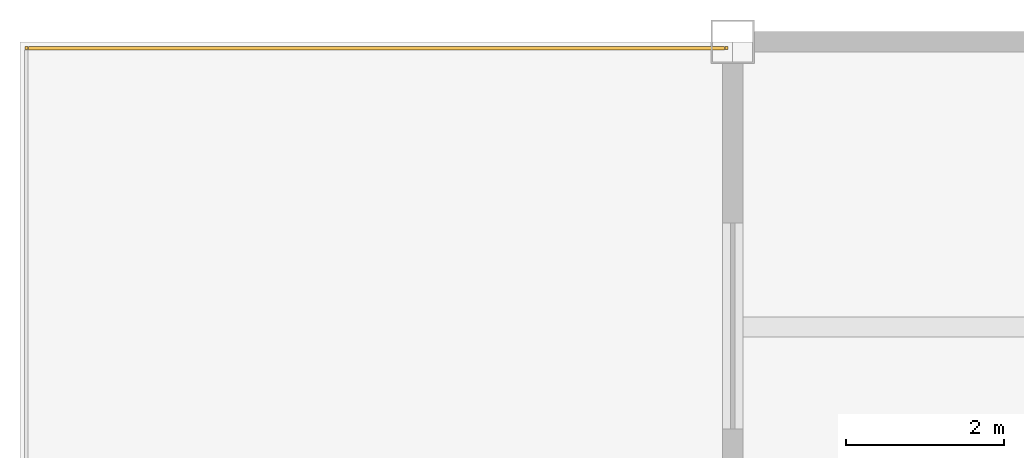
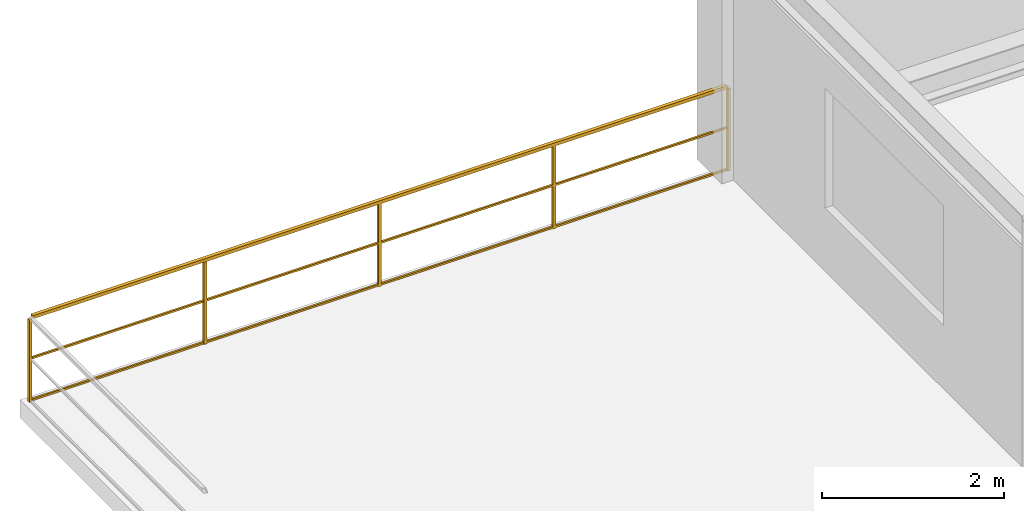
# One storey, part 11 of 11: 1 railing.
"""IFC4 building model written with IfcOpenShell, lengths in metres."""

from ifc_helpers import new_model, si_unit, direction, frame, origin, origin_2d, place, context, subcontext, project, spatial, rectangle, extrude, material, type_object, element, save


model = new_model("IFC4")

# Units and contexts
model_context = context("Model", 3, precision=1e-05, world=origin(), true_north=direction((0.0, 1.0)))
body_context = subcontext(model_context, "Body", "Model", "MODEL_VIEW")
ifc_project = project(units=[si_unit("LENGTHUNIT", "METRE"), si_unit("AREAUNIT", "SQUARE_METRE"), si_unit("VOLUMEUNIT", "CUBIC_METRE"), si_unit("PLANEANGLEUNIT", "RADIAN"), si_unit("MASSUNIT", "GRAM", prefix="KILO")], contexts=[model_context])

# Site, building, storey
site_placement = place(None, origin())
site = spatial("IfcSite", under=ifc_project, at=site_placement, CompositionType="ELEMENT")
building_placement = place(site_placement, origin())
building = spatial("IfcBuilding", under=site, at=building_placement, Name="Kazanami Central Library", CompositionType="ELEMENT")
storey_placement = place(building_placement, frame((0.0, 0.0, 24.199951171875)))
storey = spatial("IfcBuildingStorey", under=building, at=storey_placement, Name="L07", CompositionType="ELEMENT", Elevation=24.199951171875)

# Railing
ifc_material = material(Name="Stainless Steel SUS304", Category="steel")
railing_type = type_object("IfcRailingType", Name="RAL-GR-T1", PredefinedType="GUARDRAIL", material=ifc_material)
railing_placement = place(storey_placement, frame((117.080078125, 93.52001953125, 0.0)))
element("IfcRailing", 1, at=railing_placement, inside=storey, type_object=railing_type, Name="Terrace Perimeter Guard Archive Wing West Courtyard Terrace L07 (North)", PredefinedType="GUARDRAIL", context=body_context, shape_type="SweptSolid", body=[
    extrude(rectangle(XDim=0.0439453125, YDim=0.0439453125, at=origin_2d()), frame((0.02587890625, 0.0, 1.1279296875), z_axis=(1.0, 0.0, 0.0), x_axis=(0.0, 1.0, 0.0)), (0.0, 0.0, 1.0), 8.787841796875),
    extrude(rectangle(XDim=0.02392578125, YDim=0.02392578125, at=origin_2d()), frame((0.02587890625, 0.0, 0.015869140625), z_axis=(1.0, 0.0, 0.0), x_axis=(0.0, 1.0, 0.0)), (0.0, 0.0, 1.0), 8.787841796875),
    extrude(rectangle(XDim=0.02392578125, YDim=0.02392578125, at=origin_2d()), frame((0.02587890625, 0.0, 0.574951171875), z_axis=(1.0, 0.0, 0.0), x_axis=(0.0, 1.0, 0.0)), (0.0, 0.0, 1.0), 8.787841796875),
    extrude(rectangle(XDim=0.035888671875, YDim=0.035888671875, at=origin_2d()), origin(), (0.0, 0.0, 1.0), 1.10205078125),
    extrude(rectangle(XDim=0.035888671875, YDim=0.035888671875, at=origin_2d()), frame((2.2099609375, 0.0, 0.0)), (0.0, 0.0, 1.0), 1.10205078125),
    extrude(rectangle(XDim=0.035888671875, YDim=0.035888671875, at=origin_2d()), frame((4.419921875, 0.0, 0.0)), (0.0, 0.0, 1.0), 1.10205078125),
    extrude(rectangle(XDim=0.035888671875, YDim=0.035888671875, at=origin_2d()), frame((6.6298828125, 0.0, 0.0)), (0.0, 0.0, 1.0), 1.10205078125),
    extrude(rectangle(XDim=0.035888671875, YDim=0.035888671875, at=origin_2d()), frame((8.83984375, 0.0, 0.0)), (0.0, 0.0, 1.0), 1.10205078125),
])

save(model, "model.ifc")
